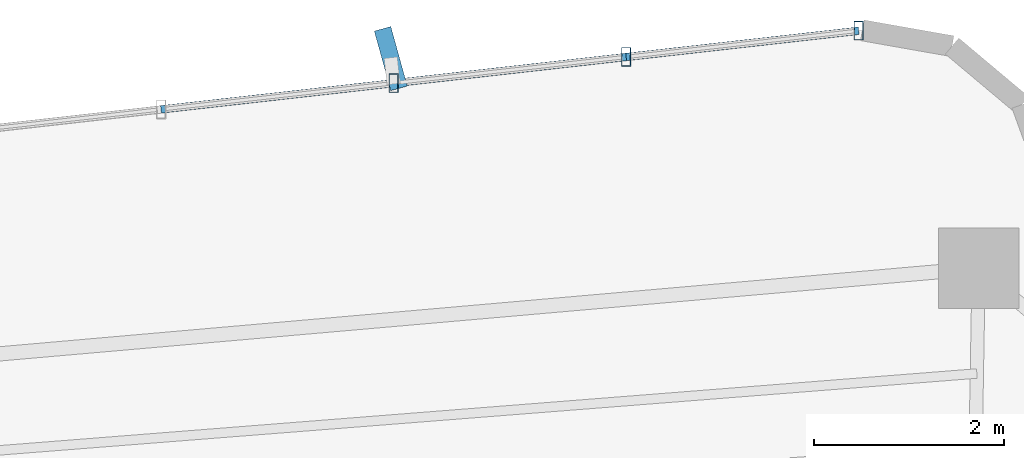
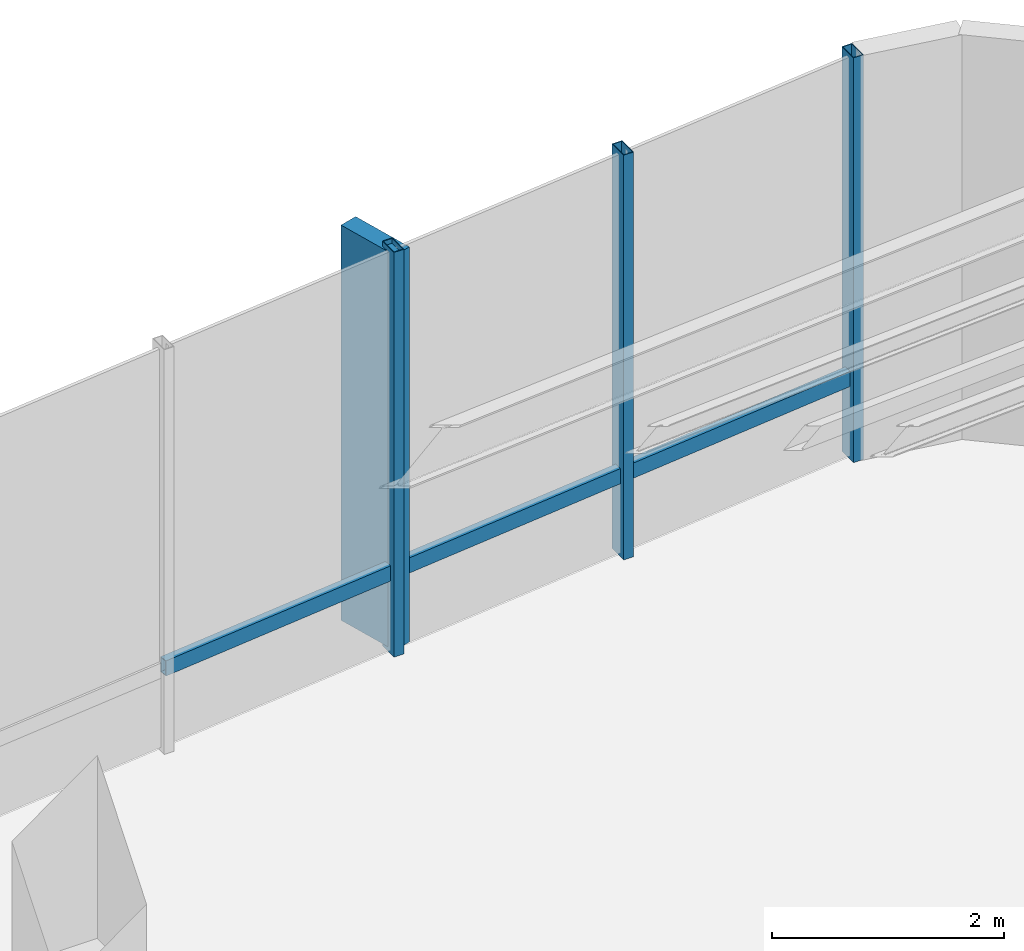
# One storey, part 12 of 19: 7 members, 1 element without a shape of its own.
"""IFC4 building model written with IfcOpenShell, lengths in metres."""

import ifcopenshell
import ifcopenshell.guid

model = None  # the IFC model being written
_history = None  # IfcOwnerHistory: only IFC2X3 demands one
_inside = {}  # id of a spatial element -> (the spatial element, [elements in it])
_under = {}  # id of a project, library or spatial element -> (it, [spatial elements below it])
_declared = {}  # id of a project -> (the project, [libraries it declares])
_typed = {}  # id of a type object -> (the type object, [elements of that type])
_made_of = {}  # id of a material, layer set ... -> (it, [elements and type objects made of it])


def new_model(schema):
    """Start an empty IFC model of exactly this schema.

    Asked for "IFC4X3", IfcOpenShell would pick the latest addendum, in which some entities
    have other attributes; the version numbers below select the first issue.
    IFC2X3 requires an IfcOwnerHistory on every rooted entity: one is made here for all.
    """
    global model, _history
    if schema == "IFC4X3":
        model = ifcopenshell.file(schema_version=(4, 3, 0, 0))
    else:
        model = ifcopenshell.file(schema=schema)
    _inside.clear()
    _under.clear()
    _declared.clear()
    _typed.clear()
    _made_of.clear()
    _history = None
    if model.schema == "IFC2X3":
        org = make("IfcOrganization", Name="unknown")
        user = make(
            "IfcPersonAndOrganization",
            ThePerson=make("IfcPerson", FamilyName="unknown"),
            TheOrganization=org,
        )
        app = make(
            "IfcApplication",
            ApplicationDeveloper=org,
            Version="unknown",
            ApplicationFullName="unknown",
            ApplicationIdentifier="unknown",
        )
        _history = make(
            "IfcOwnerHistory",
            OwningUser=user,
            OwningApplication=app,
            ChangeAction="ADDED",
            CreationDate=0,
        )
    return model


def make(cls, **values):
    """One entity of the class cls with the attributes given. An attribute that is None is left unset."""
    return model.create_entity(
        cls, **{name: value for name, value in values.items() if value is not None}
    )


def rooted(cls, **values):
    """An entity with a GlobalId (a new one), such as an element, a storey or a relation."""
    return make(cls, GlobalId=ifcopenshell.guid.new(), OwnerHistory=_history, **values)


def si_unit(unit_type, name, prefix=None):
    """IfcSIUnit, for example si_unit("LENGTHUNIT", "METRE", prefix="MILLI")."""
    return make("IfcSIUnit", UnitType=unit_type, Prefix=prefix, Name=name)


def assignment(units):
    """IfcUnitAssignment: the units of a project."""
    return None if units is None else make("IfcUnitAssignment", Units=units)


def point(xyz):
    """IfcCartesianPoint."""
    return None if xyz is None else make("IfcCartesianPoint", Coordinates=xyz)


def direction(xyz):
    """IfcDirection."""
    return None if xyz is None else make("IfcDirection", DirectionRatios=xyz)


def frame(location, z_axis=None, x_axis=None):
    """IfcAxis2Placement3D, a coordinate frame: its origin and axes. An axis left out is left unset."""
    return make(
        "IfcAxis2Placement3D",
        Location=point(location),
        Axis=direction(z_axis),
        RefDirection=direction(x_axis),
    )


def frame_2d(location, x_axis=None):
    """IfcAxis2Placement2D, a coordinate frame in the plane: its origin and x axis."""
    return make(
        "IfcAxis2Placement2D", Location=point(location), RefDirection=direction(x_axis)
    )


def origin():
    """The frame at (0, 0, 0) with its axes left unset."""
    return frame((0.0, 0.0, 0.0))


def origin_2d():
    """The frame at (0, 0) in the plane with its x axis left unset."""
    return frame_2d((0.0, 0.0))


def place(relative_to, where):
    """IfcLocalPlacement: puts the frame where relative to a parent placement (None: the world)."""
    return make(
        "IfcLocalPlacement", PlacementRelTo=relative_to, RelativePlacement=where
    )


def context(
    kind, dimensions, precision=None, world=None, true_north=None, identifier=None
):
    """IfcGeometricRepresentationContext, for example the 3D "Model" context."""
    return make(
        "IfcGeometricRepresentationContext",
        ContextIdentifier=identifier,
        ContextType=kind,
        CoordinateSpaceDimension=dimensions,
        Precision=precision,
        WorldCoordinateSystem=world,
        TrueNorth=true_north,
    )


def subcontext(parent, identifier, kind, view, scale=None):
    """IfcGeometricRepresentationSubContext, for example "Body" below "Model"."""
    return make(
        "IfcGeometricRepresentationSubContext",
        ContextIdentifier=identifier,
        ContextType=kind,
        ParentContext=parent,
        TargetScale=scale,
        TargetView=view,
    )


def project(units=None, contexts=None):
    """IfcProject with its units and contexts."""
    return rooted(
        "IfcProject",
        Name="project",
        RepresentationContexts=contexts,
        UnitsInContext=assignment(units),
    )


def spatial(cls, under=None, at=None, **own):
    """A site, building, storey or space (cls), placed at a placement, below another one or the project."""
    s = rooted(cls, ObjectPlacement=at, **own)
    if under is not None:
        _under.setdefault(under.id(), (under, []))[1].append(s)
    return s


def profile(cls, at=None, kind="AREA", **sizes):
    """A parametric profile (cls). Its sizes go by their IFC names, for example OverallWidth=200.0."""
    return make(cls, ProfileType=kind, Position=at, **sizes)


def rectangle(**sizes):
    """IfcRectangleProfileDef."""
    return profile("IfcRectangleProfileDef", **sizes)


def hollow_rectangle(**sizes):
    """IfcRectangleHollowProfileDef."""
    return profile("IfcRectangleHollowProfileDef", **sizes)


def extrude(swept, where, along, depth):
    """IfcExtrudedAreaSolid: the profile swept, set in the frame where, extruded along a direction by depth."""
    return make(
        "IfcExtrudedAreaSolid",
        SweptArea=swept,
        Position=where,
        ExtrudedDirection=direction(along),
        Depth=depth,
    )


def shape(context_of_items, identifier, shape_type, items):
    """IfcShapeRepresentation: the items that make up one representation, for example the "Body"."""
    return make(
        "IfcShapeRepresentation",
        ContextOfItems=context_of_items,
        RepresentationIdentifier=identifier,
        RepresentationType=shape_type,
        Items=items,
    )


def source(mapping_origin, context_of_items, identifier, shape_type, items):
    """IfcRepresentationMap: a shape defined once, which mapped items show again and again."""
    return make(
        "IfcRepresentationMap",
        MappingOrigin=mapping_origin,
        MappedRepresentation=shape(context_of_items, identifier, shape_type, items),
    )


def transform(
    local_origin,
    x_axis=None,
    y_axis=None,
    z_axis=None,
    scale=None,
    scale2=None,
    scale3=None,
    uniform=True,
):
    """IfcCartesianTransformationOperator3D, or its non-uniform kind. x_axis, y_axis, z_axis: its Axis1, 2, 3."""
    if uniform:
        return make(
            "IfcCartesianTransformationOperator3D",
            Axis1=direction(x_axis),
            Axis2=direction(y_axis),
            LocalOrigin=point(local_origin),
            Scale=scale,
            Axis3=direction(z_axis),
        )
    return make(
        "IfcCartesianTransformationOperator3DnonUniform",
        Axis1=direction(x_axis),
        Axis2=direction(y_axis),
        LocalOrigin=point(local_origin),
        Scale=scale,
        Axis3=direction(z_axis),
        Scale2=scale2,
        Scale3=scale3,
    )


def mapped(mapping_source, mapping_target):
    """IfcMappedItem: shows the shape of a source again, moved by a transform."""
    return make(
        "IfcMappedItem", MappingSource=mapping_source, MappingTarget=mapping_target
    )


def material(Name=None, Category=None):
    """IfcMaterial."""
    return make("IfcMaterial", Name=Name, Category=Category)


def material_profile(
    of_material, cross_section, Name=None, Category=None, Priority=None
):
    """IfcMaterialProfile: a cross section and its material."""
    return make(
        "IfcMaterialProfile",
        Name=Name,
        Material=of_material,
        Profile=cross_section,
        Priority=Priority,
        Category=Category,
    )


def profile_set(profiles, Name=None, composite=None):
    """IfcMaterialProfileSet."""
    return make(
        "IfcMaterialProfileSet",
        Name=Name,
        MaterialProfiles=profiles,
        CompositeProfile=composite,
    )


def made_of(thing, what):
    """Note that an element or type object is made of a material, layer set ...; save() writes the relation."""
    if what is not None:
        _made_of.setdefault(what.id(), (what, []))[1].append(thing)
    return thing


def type_object(cls, material=None, **own):
    """A type object (cls), such as IfcWallType, which elements share."""
    return made_of(rooted(cls, **own), material)


def element(
    cls,
    number,
    at=None,
    inside=None,
    cuts=None,
    type_object=None,
    material=None,
    context=None,
    identifier="Body",
    shape_type=None,
    held_by="IfcProductDefinitionShape",
    body=None,
    shapes=None,
    **own,
):
    """One element of the class cls, such as IfcWall. Its Tag is "e" and its number.

    at: its placement. inside: the storey or other place that contains it. cuts: it is an
    opening in that element (IfcRelVoidsElement). A single representation is given by context,
    identifier, shape_type and body (its items); several are given by shapes. held_by: the class
    of the entity that holds the representations. save() writes the other relations.
    """
    e = rooted(cls, Tag="e%d" % number, ObjectPlacement=at, **own)
    if body is not None:
        shapes = [shape(context, identifier, shape_type, body)]
    if shapes is not None:
        e.Representation = make(held_by, Representations=shapes)
    if inside is not None:
        _inside.setdefault(inside.id(), (inside, []))[1].append(e)
    if cuts is not None:
        rooted(
            "IfcRelVoidsElement", RelatingBuildingElement=cuts, RelatedOpeningElement=e
        )
    if type_object is not None:
        _typed.setdefault(type_object.id(), (type_object, []))[1].append(e)
    return made_of(e, material)


def aggregate(whole, parts):
    """IfcRelAggregates: a whole, such as a stair, and the parts it consists of."""
    return rooted("IfcRelAggregates", RelatingObject=whole, RelatedObjects=parts)


def save(model, path):
    """Write the relations noted so far, then the file.

    IfcRelAggregates (storeys below a building ...), IfcRelContainedInSpatialStructure (elements
    in a storey), IfcRelDefinesByType, IfcRelAssociatesMaterial and IfcRelDeclares: one each for
    every whole, place, type object, material and project.
    """
    for whole, parts in _under.values():
        aggregate(whole, parts)
    for where, things in _inside.values():
        rooted(
            "IfcRelContainedInSpatialStructure",
            RelatedElements=things,
            RelatingStructure=where,
        )
    for kind, things in _typed.values():
        rooted("IfcRelDefinesByType", RelatedObjects=things, RelatingType=kind)
    for what, things in _made_of.values():
        rooted("IfcRelAssociatesMaterial", RelatedObjects=things, RelatingMaterial=what)
    for by, libraries in _declared.values():
        rooted("IfcRelDeclares", RelatingContext=by, RelatedDefinitions=libraries)
    model.write(path)


model = new_model("IFC4")

# Units and contexts
model_context = context("Model", 3, precision=1e-05, world=origin(), true_north=direction((0.0, 1.0)))
body_context = subcontext(model_context, "Body", "Model", "MODEL_VIEW")
ifc_project = project(units=[si_unit("LENGTHUNIT", "METRE"), si_unit("AREAUNIT", "SQUARE_METRE"), si_unit("VOLUMEUNIT", "CUBIC_METRE"), si_unit("PLANEANGLEUNIT", "RADIAN"), si_unit("MASSUNIT", "GRAM", prefix="KILO")], contexts=[model_context])

# Site, building, storey
site_placement = place(None, origin())
site = spatial("IfcSite", under=ifc_project, at=site_placement, CompositionType="ELEMENT")
building_placement = place(site_placement, origin())
building = spatial("IfcBuilding", under=site, at=building_placement, Name="Sahyath Konkavel Grand Hotel", CompositionType="ELEMENT")
storey_placement = place(building_placement, frame((0.0, 0.0, 142.75)))
storey = spatial("IfcBuildingStorey", under=building, at=storey_placement, Name="L39", CompositionType="ELEMENT", Elevation=142.75)

# Curtain wall, members
ifc_material_1 = material(Name="Anodised Bronze Aluminium & Low-E Glazing", Category="aluminium")
curtain_wall_type = type_object("IfcCurtainWallType", Name="CW-SKYLOBBY", PredefinedType="NOTDEFINED", material=ifc_material_1)
curtain_wall_placement = place(storey_placement, origin())
curtain_wall = element("IfcCurtainWall", 1, at=curtain_wall_placement, inside=storey, type_object=curtain_wall_type, Name="L39 Unitised Curtain Wall F12", PredefinedType="NOTDEFINED")
ifc_material_2 = material(Name="Anodised Bronze Aluminium", Category="aluminium")
ifc_material_profile_1 = material_profile(ifc_material_2, hollow_rectangle(XDim=0.10009765625, YDim=0.199951171875, WallThickness=0.008056640625, at=origin_2d()), Name="RHS 200x100x8")
ifc_profile_set_1 = profile_set([ifc_material_profile_1], Name="Anodised Bronze Aluminium")
member_type_1 = type_object("IfcMemberType", Name="CW-MUL-200", PredefinedType="MULLION", material=ifc_profile_set_1)
shared_shape_1 = source(origin(), body_context, "Body", "SweptSolid", [
    extrude(hollow_rectangle(XDim=0.10009765625, YDim=0.199951171875, WallThickness=0.008056640625, at=origin_2d()), origin(), (0.0, 0.0, 1.0), 4.260009765625),
])
member_1_placement = place(storey_placement, frame((2.673828125, 20.610595703125, 0.0), z_axis=(0.0, 0.0, 1.0), x_axis=(1.0, 0.0, 0.0)))
member_1 = element("IfcMember", 2, at=member_1_placement, type_object=member_type_1, Name="L39 Curtain Wall Mullion F12-0", PredefinedType="MULLION", context=body_context, shape_type="MappedRepresentation", body=[
    mapped(shared_shape_1, transform((0.0, 0.0, 0.0), scale=1.0)),
])
member_2_placement = place(storey_placement, frame((0.227294921875, 20.334716796875, 0.0), z_axis=(0.0, 0.0, 1.0), x_axis=(1.0, 0.0, 0.0)))
member_2 = element("IfcMember", 3, at=member_2_placement, type_object=member_type_1, Name="L39 Curtain Wall Mullion F12-1", PredefinedType="MULLION", context=body_context, shape_type="MappedRepresentation", body=[
    mapped(shared_shape_1, transform((0.0, 0.0, 0.0), scale=1.0)),
])
member_3_placement = place(storey_placement, frame((-2.21923828125, 20.05908203125, 0.0), z_axis=(0.0, 0.0, 1.0), x_axis=(1.0, 0.0, 0.0)))
member_3 = element("IfcMember", 4, at=member_3_placement, type_object=member_type_1, Name="L39 Curtain Wall Mullion F12-2", PredefinedType="MULLION", context=body_context, shape_type="MappedRepresentation", body=[
    mapped(shared_shape_1, transform((0.0, 0.0, 0.0), scale=1.0)),
])
ifc_material_3 = material(Name="Warm Buff Sandstone Cladding on Concrete C50/60", Category="masonry")
ifc_material_profile_2 = material_profile(ifc_material_3, rectangle(XDim=0.179931640625, YDim=0.64990234375, at=origin_2d()), Name="FIN 180x650")
ifc_profile_set_2 = profile_set([ifc_material_profile_2], Name="Warm Buff Sandstone Cladding on Concrete C50/60")
member_type_2 = type_object("IfcMemberType", Name="FIN-SANDSTONE-650", PredefinedType="MULLION", material=ifc_profile_set_2)
shared_shape_2 = source(origin(), body_context, "Body", "SweptSolid", [
    extrude(rectangle(XDim=0.179931640625, YDim=0.64990234375, at=origin_2d()), origin(), (0.0, 0.0, 1.0), 4.159912109375),
])
member_4_placement = place(storey_placement, frame((-2.248291015625, 20.3173828125, 0.050048828125), z_axis=(0.0, 0.0, 1.0), x_axis=(0.963677080427, 0.267070186767, 0.0)))
member_4 = element("IfcMember", 5, at=member_4_placement, type_object=member_type_2, Name="L39 Sandstone Vertical Solar Fin FIN F12-2", PredefinedType="MULLION", context=body_context, shape_type="MappedRepresentation", body=[
    mapped(shared_shape_2, transform((0.0, 0.0, 0.0), scale=1.0)),
])
ifc_material_profile_3 = material_profile(ifc_material_2, hollow_rectangle(XDim=0.080078125, YDim=0.159912109375, WallThickness=0.006103515625, at=origin_2d()), Name="RHS 160x80x6")
ifc_profile_set_3 = profile_set([ifc_material_profile_3], Name="Anodised Bronze Aluminium")
member_type_3 = type_object("IfcMemberType", Name="CW-TRN-160", PredefinedType="USERDEFINED", material=ifc_profile_set_3)
shared_shape_3 = source(origin(), body_context, "Body", "SweptSolid", [
    extrude(hollow_rectangle(XDim=0.080078125, YDim=0.159912109375, WallThickness=0.006103515625, at=origin_2d()), origin(), (0.0, 0.0, 1.0), 2.462158203125),
])
member_5_placement = place(storey_placement, frame((2.673828125, 20.610595703125, 0.85009765625), z_axis=(-0.99370222711, -0.112053040279, 0.0), x_axis=(0.112053040279, -0.99370222711, 0.0)))
member_5 = element("IfcMember", 6, at=member_5_placement, type_object=member_type_3, Name="L39 Curtain Wall Transom F12-0-spandrel", ObjectType="TRANSOM", PredefinedType="USERDEFINED", context=body_context, shape_type="MappedRepresentation", body=[
    mapped(shared_shape_3, transform((0.0, 0.0, 0.0), scale=1.0)),
])
member_6_placement = place(storey_placement, frame((-2.21923828125, 20.05908203125, 0.85009765625), z_axis=(-0.99370222711, -0.112053040279, 0.0), x_axis=(0.112053040279, -0.99370222711, 0.0)))
member_6 = element("IfcMember", 7, at=member_6_placement, type_object=member_type_3, Name="L39 Curtain Wall Transom F12-2-spandrel", ObjectType="TRANSOM", PredefinedType="USERDEFINED", context=body_context, shape_type="MappedRepresentation", body=[
    mapped(shared_shape_3, transform((0.0, 0.0, 0.0), scale=1.0)),
])
shared_shape_4 = source(origin(), body_context, "Body", "SweptSolid", [
    extrude(hollow_rectangle(XDim=0.080078125, YDim=0.159912109375, WallThickness=0.006103515625, at=origin_2d()), origin(), (0.0, 0.0, 1.0), 2.4619140625),
])
member_7_placement = place(storey_placement, frame((0.227294921875, 20.334716796875, 0.85009765625), z_axis=(-0.993713263833, -0.111955121731, 0.0), x_axis=(0.111955121731, -0.993713263833, 0.0)))
member_7 = element("IfcMember", 8, at=member_7_placement, type_object=member_type_3, Name="L39 Curtain Wall Transom F12-1-spandrel", ObjectType="TRANSOM", PredefinedType="USERDEFINED", context=body_context, shape_type="MappedRepresentation", body=[
    mapped(shared_shape_4, transform((0.0, 0.0, 0.0), scale=1.0)),
])
aggregate(curtain_wall, [member_1, member_2, member_3, member_4, member_5, member_7, member_6])

save(model, "model.ifc")
